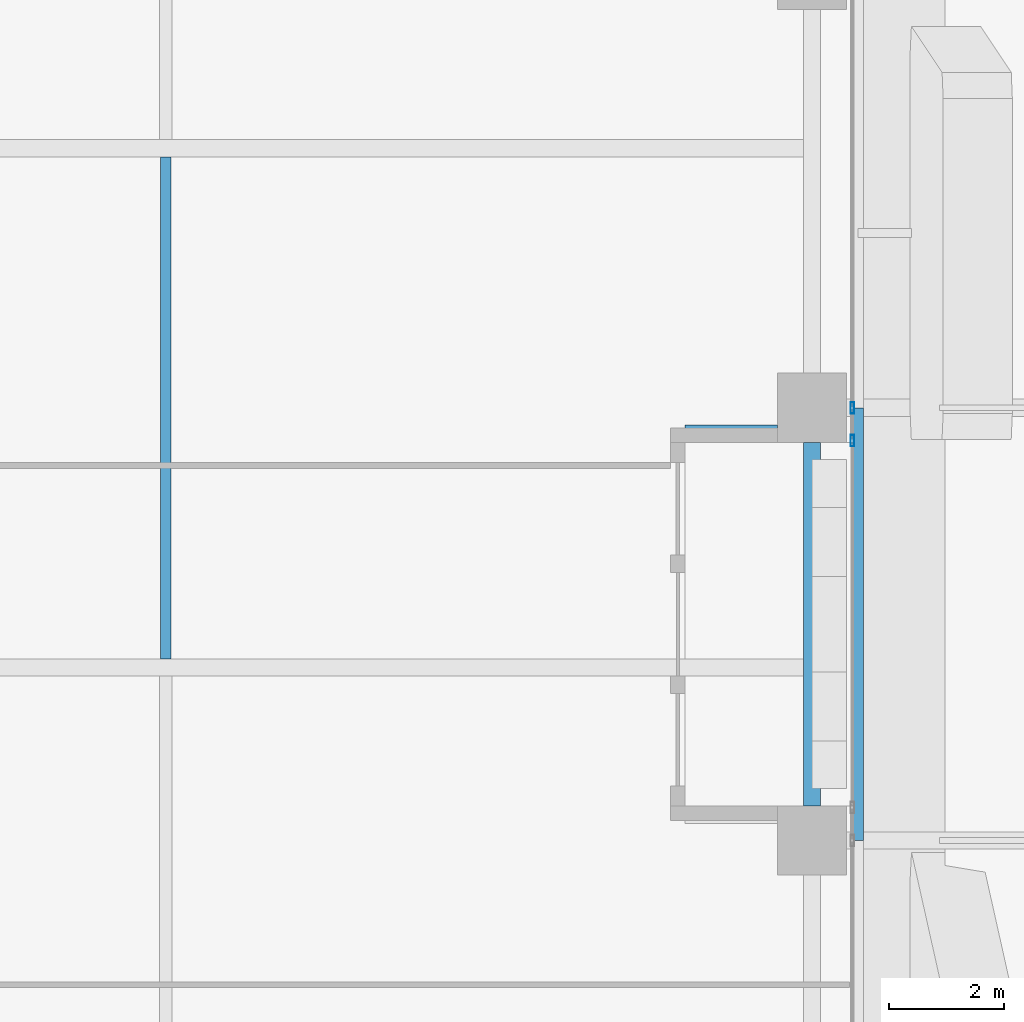
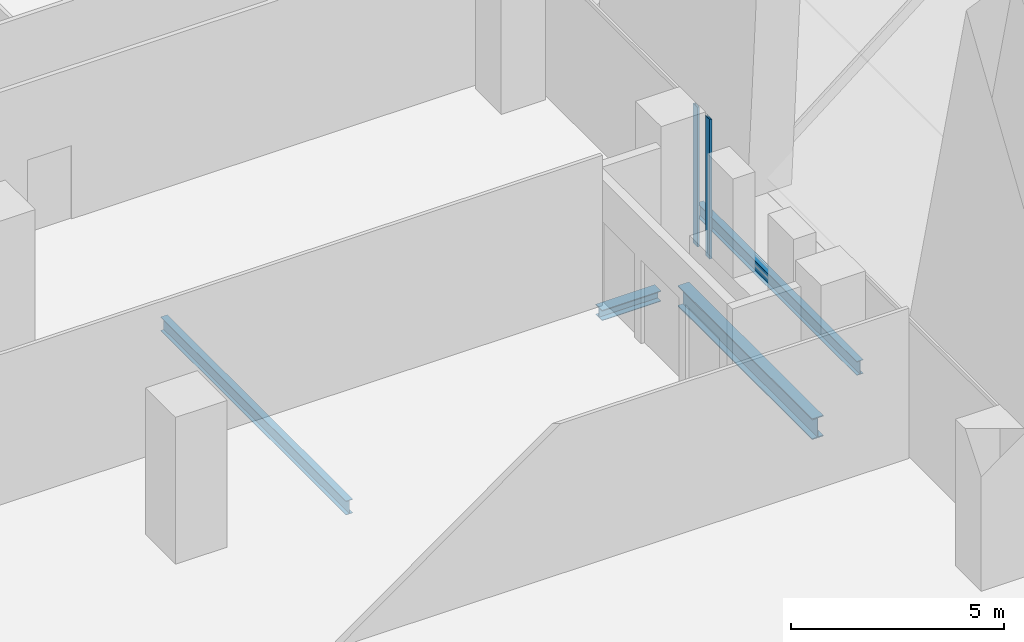
# One storey, part 13 of 46: 3 beams, 3 members, 1 element without a shape of its own.
"""IFC4 building model written with IfcOpenShell, lengths in metres."""

from ifc_helpers import new_model, si_unit, direction, frame, origin, origin_2d, place, context, subcontext, project, spatial, hollow_rectangle, i_section, extrude, source, transform, mapped, material, material_profile, profile_set, type_object, element, aggregate, save


model = new_model("IFC4")

# Units and contexts
model_context = context("Model", 3, precision=1e-05, world=origin(), true_north=direction((0.0, 1.0)))
body_context = subcontext(model_context, "Body", "Model", "MODEL_VIEW")
ifc_project = project(units=[si_unit("LENGTHUNIT", "METRE"), si_unit("AREAUNIT", "SQUARE_METRE"), si_unit("VOLUMEUNIT", "CUBIC_METRE"), si_unit("PLANEANGLEUNIT", "RADIAN"), si_unit("MASSUNIT", "GRAM", prefix="KILO")], contexts=[model_context])

# Site, building, storey
site_placement = place(None, origin())
site = spatial("IfcSite", under=ifc_project, at=site_placement, CompositionType="ELEMENT")
building_placement = place(site_placement, origin())
building = spatial("IfcBuilding", under=site, at=building_placement, Name="Khomas Fold Tower", CompositionType="ELEMENT")
storey_placement = place(building_placement, frame((0.0, 0.0, 33.0)))
storey = spatial("IfcBuildingStorey", under=building, at=storey_placement, Name="L06", CompositionType="ELEMENT", Elevation=33.0)

# Beams
ifc_material_1 = material(Name="Steel S355", Category="steel")
ifc_material_profile_1 = material_profile(ifc_material_1, i_section(OverallWidth=0.179931640625, OverallDepth=0.39990234375, WebThickness=0.008544921875, FlangeThickness=0.013427734375, at=origin_2d()), Name="IPE 400")
ifc_profile_set_1 = profile_set([ifc_material_profile_1], Name="Steel S355")
beam_type_1 = type_object("IfcBeamType", Name="IPE 400 beam JB3", PredefinedType="BEAM", material=ifc_profile_set_1)
shared_shape_1 = source(origin(), body_context, "Body", "SweptSolid", [
    extrude(i_section(OverallWidth=0.179931640625, OverallDepth=0.39990234375, WebThickness=0.008544921875, FlangeThickness=0.013427734375, at=origin_2d()), origin(), (0.0, 0.0, 1.0), 8.7001953125),
])
beam_1_placement = place(storey_placement, frame((42.0, 22.64990234375, -0.699951171875), z_axis=(0.0, 1.0, 0.0), x_axis=(-1.0, 0.0, 0.0)))
element("IfcBeam", 1, at=beam_1_placement, inside=storey, type_object=beam_type_1, Name="JB3", PredefinedType="BEAM", context=body_context, shape_type="MappedRepresentation", body=[
    mapped(shared_shape_1, transform((0.0, 0.0, 0.0))),
])
ifc_material_2 = material(Name="Steel S355", Category="steel")
ifc_material_profile_2 = material_profile(ifc_material_2, i_section(OverallWidth=0.300048828125, OverallDepth=0.60009765625, WebThickness=0.015380859375, FlangeThickness=0.030029296875, at=origin_2d()), Name="HE 600 B")
ifc_profile_set_2 = profile_set([ifc_material_profile_2], Name="Steel S355")
beam_type_2 = type_object("IfcBeamType", Name="HE 600 B spandrel SB1", PredefinedType="SPANDREL", material=ifc_profile_set_2)
shared_shape_2 = source(origin(), body_context, "Body", "SweptSolid", [
    extrude(i_section(OverallWidth=0.300048828125, OverallDepth=0.60009765625, WebThickness=0.015380859375, FlangeThickness=0.030029296875, at=origin_2d()), origin(), (0.0, 0.0, 1.0), 6.2998046875),
])
beam_2_placement = place(storey_placement, frame((53.199951171875, 20.10009765625, -0.800048828125), z_axis=(0.0, 1.0, 0.0), x_axis=(-1.0, 0.0, 0.0)))
element("IfcBeam", 2, at=beam_2_placement, inside=storey, type_object=beam_type_2, Name="SB1", PredefinedType="SPANDREL", context=body_context, shape_type="MappedRepresentation", body=[
    mapped(shared_shape_2, transform((0.0, 0.0, 0.0))),
])
ifc_material_3 = material(Name="Steel S355", Category="steel")
ifc_material_profile_3 = material_profile(ifc_material_3, i_section(OverallWidth=0.300048828125, OverallDepth=0.300048828125, WebThickness=0.010986328125, FlangeThickness=0.01904296875, at=origin_2d()), Name="HE 300 B")
ifc_profile_set_3 = profile_set([ifc_material_profile_3], Name="Steel S355")
beam_type_3 = type_object("IfcBeamType", Name="HE 300 B beam BB1", PredefinedType="BEAM", material=ifc_profile_set_3)
shared_shape_3 = source(origin(), body_context, "Body", "SweptSolid", [
    extrude(i_section(OverallWidth=0.300048828125, OverallDepth=0.300048828125, WebThickness=0.010986328125, FlangeThickness=0.01904296875, at=origin_2d()), origin(), (0.0, 0.0, 1.0), 1.60009765625),
])
beam_3_placement = place(storey_placement, frame((51.0, 26.550048828125, -0.64990234375), z_axis=(1.0, 0.0, 0.0), x_axis=(0.0, 1.0, 0.0)))
element("IfcBeam", 3, at=beam_3_placement, inside=storey, type_object=beam_type_3, Name="BB1", PredefinedType="BEAM", context=body_context, shape_type="MappedRepresentation", body=[
    mapped(shared_shape_3, transform((0.0, 0.0, 0.0))),
])

# Curtain wall, members
ifc_material_4 = material(Name="Aluminium framed double glazing", Category="aluminium")
curtain_wall_type = type_object("IfcCurtainWallType", Name="SK-Unitised clear-glass wall, growing floors CW1", PredefinedType="NOTDEFINED", material=ifc_material_4)
curtain_wall_placement = place(storey_placement, origin())
curtain_wall = element("IfcCurtainWall", 4, at=curtain_wall_placement, inside=storey, type_object=curtain_wall_type, Name="CW1 run L06 03-1", PredefinedType="NOTDEFINED")
ifc_material_5 = material(Name="Aluminium", Category="aluminium")
ifc_material_profile_4 = material_profile(ifc_material_5, hollow_rectangle(XDim=0.06005859375, YDim=0.199951171875, WallThickness=0.00390625, at=origin_2d()), Name="SK-Unitised clear-glass wall, growing floors mullion CW1-M")
ifc_profile_set_4 = profile_set([ifc_material_profile_4], Name="Aluminium")
member_type_1 = type_object("IfcMemberType", Name="SK-Unitised clear-glass wall, growing floors mullion CW1-M", PredefinedType="MULLION", material=ifc_profile_set_4)
shared_shape_4 = source(origin(), body_context, "Body", "SweptSolid", [
    extrude(hollow_rectangle(XDim=0.06005859375, YDim=0.199951171875, WallThickness=0.00390625, at=origin_2d()), origin(), (0.0, 0.0, 1.0), 4.0),
])
member_1_placement = place(storey_placement, frame((53.89990234375, 26.429931640625, 0.0), z_axis=(0.0, 0.0, 1.0), x_axis=(-1.0, 0.0, 0.0)))
member_1 = element("IfcMember", 5, at=member_1_placement, type_object=member_type_1, Name="CW1 mullion 1", PredefinedType="MULLION", context=body_context, shape_type="MappedRepresentation", body=[
    mapped(shared_shape_4, transform((0.0, 0.0, 0.0))),
])
member_2_placement = place(storey_placement, frame((53.89990234375, 27.0, 0.0), z_axis=(0.0, 0.0, 1.0), x_axis=(-1.0, 0.0, 0.0)))
member_2 = element("IfcMember", 6, at=member_2_placement, type_object=member_type_1, Name="CW1 mullion 2", PredefinedType="MULLION", context=body_context, shape_type="MappedRepresentation", body=[
    mapped(shared_shape_4, transform((0.0, 0.0, 0.0))),
])
aggregate(curtain_wall, [member_1, member_2])

# Member
ifc_material_6 = material(Name="Steel S355", Category="steel")
ifc_material_profile_5 = material_profile(ifc_material_6, i_section(OverallWidth=0.179931640625, OverallDepth=0.39990234375, WebThickness=0.008544921875, FlangeThickness=0.013427734375, at=origin_2d()), Name="IPE 400")
ifc_profile_set_5 = profile_set([ifc_material_profile_5], Name="Steel S355")
member_type_2 = type_object("IfcMemberType", Name="IPE 400 userdefined RF-P", PredefinedType="USERDEFINED", material=ifc_profile_set_5)
shared_shape_5 = source(origin(), body_context, "Body", "SweptSolid", [
    extrude(i_section(OverallWidth=0.179931640625, OverallDepth=0.39990234375, WebThickness=0.008544921875, FlangeThickness=0.013427734375, at=origin_2d()), origin(), (0.0, 0.0, 1.0), 7.5),
])
member_3_placement = place(storey_placement, frame((54.0, 19.5, 1.0), z_axis=(0.0, 1.0, 0.0), x_axis=(-1.0, 0.0, 0.0)))
element("IfcMember", 7, at=member_3_placement, inside=storey, type_object=member_type_2, Name="Rooflight purlin", ObjectType="PURLIN", PredefinedType="USERDEFINED", context=body_context, shape_type="MappedRepresentation", body=[
    mapped(shared_shape_5, transform((0.0, 0.0, 0.0))),
])

save(model, "model.ifc")
